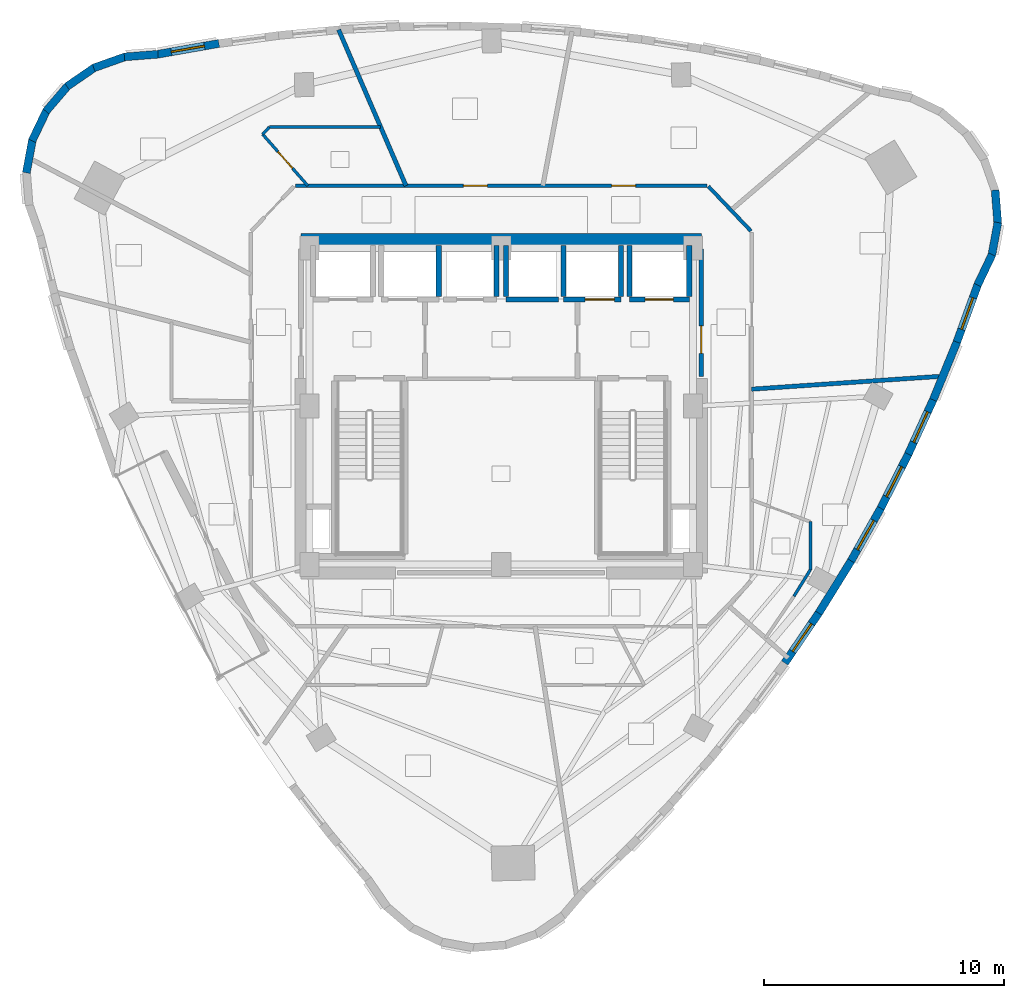
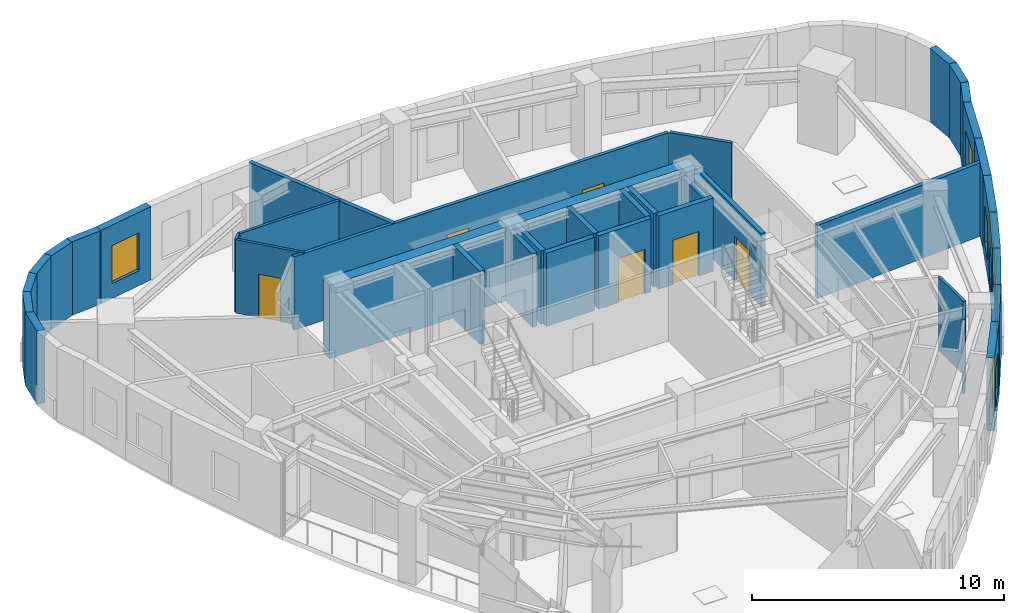
# One storey, part 8 of 12: 38 walls, 6 doors, 6 windows, 12 openings.
"""IFC4 building model written with IfcOpenShell, lengths in metres."""

from ifc_helpers import new_model, si_unit, direction, frame, frame_2d, origin, place, context, subcontext, project, spatial, rectangle, extrude, material, layer, layer_set, type_object, element, fill, save


model = new_model("IFC4")

# Units and contexts
model_context = context("Model", 3, precision=1e-05, world=origin(), true_north=direction((0.0, 1.0)))
body_context = subcontext(model_context, "Body", "Model", "MODEL_VIEW")
ifc_project = project(units=[si_unit("LENGTHUNIT", "METRE"), si_unit("AREAUNIT", "SQUARE_METRE"), si_unit("VOLUMEUNIT", "CUBIC_METRE"), si_unit("PLANEANGLEUNIT", "RADIAN"), si_unit("MASSUNIT", "GRAM", prefix="KILO")], contexts=[model_context])

# Site, building, storey
site_placement = place(None, origin())
site = spatial("IfcSite", under=ifc_project, at=site_placement, CompositionType="ELEMENT")
building_placement = place(site_placement, origin())
building = spatial("IfcBuilding", under=site, at=building_placement, Name="Ndelora Gate Hotel", CompositionType="ELEMENT")
storey_placement = place(building_placement, frame((0.0, 0.0, 194.14990234375)))
storey = spatial("IfcBuildingStorey", under=building, at=storey_placement, Name="L48", CompositionType="ELEMENT", Elevation=194.14990234375)

# Walls
ifc_material_1 = material(Name="Acoustic Double-Stud Gypsum Assembly", Category="gypsum")
ifc_layer_1 = layer(ifc_material_1, 0.179931640625)
ifc_layer_set_1 = layer_set([ifc_layer_1], Name="Acoustic Double-Stud Gypsum Assembly")
wall_type_1 = type_object("IfcWallType", Name="WL-ACOUST-180", PredefinedType="PARTITIONING", material=ifc_layer_set_1)
wall_1_placement = place(storey_placement, frame((10.449951171875, 0.7109375, 0.0), z_axis=(0.0, 0.0, 1.0), x_axis=(0.997694458534, 0.067865804428, 0.0)))
element("IfcWall", 1, at=wall_1_placement, inside=storey, type_object=wall_type_1, Name="L48 Interior Wall IW-3", PredefinedType="PARTITIONING", context=body_context, shape_type="SweptSolid", body=[
    extrude(rectangle(XDim=8.000732421875, YDim=0.179931640625, at=frame_2d((4.00048828125, 0.0))), origin(), (0.0, 0.0, 1.0), 3.550048828125),
])
wall_2_placement = place(storey_placement, frame((-3.971923828125, 9.199951171875, 0.0), z_axis=(0.0, 0.0, 1.0), x_axis=(-0.396382581843, 0.918085425661, 0.0)))
element("IfcWall", 2, at=wall_2_placement, inside=storey, type_object=wall_type_1, Name="L48 Interior Wall IW-3", PredefinedType="PARTITIONING", context=body_context, shape_type="SweptSolid", body=[
    extrude(rectangle(XDim=7.08935546875, YDim=0.179931640625, at=frame_2d((3.544677734375, 0.0))), origin(), (0.0, 0.0, 1.0), 3.550048828125),
])
ifc_material_2 = material(Name="Clay Brick Masonry", Category="masonry")
ifc_layer_2 = layer(ifc_material_2, 0.330078125)
ifc_layer_set_2 = layer_set([ifc_layer_2], Name="Clay Brick Masonry")
wall_type_2 = type_object("IfcWallType", Name="WL-BRICK-330", PredefinedType="SOLIDWALL", material=ifc_layer_set_2)
wall_3_placement = place(storey_placement, frame((-15.72265625, 14.576416015625, 0.0), z_axis=(0.0, 0.0, 1.0), x_axis=(0.996907811278, 0.07857999626, 0.0)))
element("IfcWall", 3, at=wall_3_placement, inside=storey, type_object=wall_type_2, Name="L48 Tower Brick Pier-and-Spandrel Wall TWR-1", PredefinedType="SOLIDWALL", context=body_context, shape_type="SweptSolid", body=[
    extrude(rectangle(XDim=1.407470703125, YDim=0.330078125, at=frame_2d((0.70361328125, 0.0))), origin(), (0.0, 0.0, 1.0), 3.550048828125),
])
wall_4_placement = place(storey_placement, frame((-17.0009765625, 14.1171875, 0.0), z_axis=(0.0, 0.0, 1.0), x_axis=(0.942676111555, 0.333709077945, 0.0)))
element("IfcWall", 4, at=wall_4_placement, inside=storey, type_object=wall_type_2, Name="L48 Tower Brick Pier-and-Spandrel Wall TWR-2", PredefinedType="SOLIDWALL", context=body_context, shape_type="SweptSolid", body=[
    extrude(rectangle(XDim=1.40771484375, YDim=0.330078125, at=frame_2d((0.703857421875, 0.0))), origin(), (0.0, 0.0, 1.0), 3.550048828125),
])
for number, where, z_axis, x_axis, name in (
    (5, (-18.11669921875, 13.34228515625, 0.0), (0.0, 0.0, 1.0), (0.824067227947, 0.566492015675, 0.0), "L48 Tower Brick Pier-and-Spandrel Wall TWR-3"),
    (6, (-18.993896484375, 12.30517578125, 0.0), (0.0, 0.0, 1.0), (0.64941898982, 0.760430782952, 0.0), "L48 Tower Brick Pier-and-Spandrel Wall TWR-4"),
    (7, (-19.572998046875, 11.076416015625, 0.0), (0.0, 0.0, 1.0), (0.430694266873, 0.902497893894, 0.0), "L48 Tower Brick Pier-and-Spandrel Wall TWR-5"),
    (8, (-19.814208984375, 9.73974609375, 0.0), (0.0, 0.0, 1.0), (0.182319094132, 0.983239415359, 0.0), "L48 Tower Brick Pier-and-Spandrel Wall TWR-6"),
):
    element("IfcWall", number, at=place(storey_placement, frame(where, z_axis=z_axis, x_axis=x_axis)), inside=storey, type_object=wall_type_2, Name=name, PredefinedType="SOLIDWALL", context=body_context, shape_type="SweptSolid", body=[
        extrude(rectangle(XDim=1.407470703125, YDim=0.330078125, at=frame_2d((0.70361328125, 0.0))), origin(), (0.0, 0.0, 1.0), 3.550048828125),
    ])

# Wall, opening, window
wall_5_placement = place(storey_placement, frame((13.277099609375, -8.59228515625, 0.0), z_axis=(0.0, 0.0, 1.0), x_axis=(-0.562164288669, -0.827025581554, 0.0)))
wall_5 = element("IfcWall", 9, at=wall_5_placement, inside=storey, type_object=wall_type_2, Name="L48 Tower Brick Pier-and-Spandrel Wall TWR-32", PredefinedType="SOLIDWALL", context=body_context, shape_type="SweptSolid", body=[
    extrude(rectangle(XDim=2.566162109375, YDim=0.330078125, at=frame_2d((1.283203125, 0.0))), origin(), (0.0, 0.0, 1.0), 3.550048828125),
])
opening_1_placement = place(wall_5_placement, frame((0.5830078125, 0.0, 0.719970703125)))
opening_1 = element("IfcOpeningElement", 10, at=opening_1_placement, cuts=wall_5, Name="Opening W02", PredefinedType="OPENING", context=body_context, shape_type="SweptSolid", body=[
    extrude(rectangle(XDim=1.39990234375, YDim=1.840087890625, at=frame_2d((0.699951171875, 0.919921875))), frame((0.0, 0.175048828125, 0.0), z_axis=(0.0, -1.0, 0.0), x_axis=(1.0, 0.0, 0.0)), (0.0, 0.0, 1.0), 0.35009765625),
])
ifc_material_3 = material(Name="Insulated Low-E Double Glazing in Bronze Aluminium Frame", Category="aluminium")
window_type = type_object("IfcWindowType", Name="WN-DEEP-1400", PartitioningType="SINGLE_PANEL", PredefinedType="WINDOW", material=ifc_material_3)
window_1_placement = place(opening_1_placement, origin())
window_1 = element("IfcWindow", 11, at=window_1_placement, inside=storey, type_object=window_type, Name="L48 Deep-Set Brick-Pier Window W02", OverallHeight=1.840087890625, OverallWidth=1.39990234375, PartitioningType="SINGLE_PANEL", PredefinedType="WINDOW", context=body_context, shape_type="SweptSolid", body=[
    extrude(rectangle(XDim=1.39990234375, YDim=1.840087890625, at=frame_2d((0.699951171875, 0.919921875))), frame((0.0, 0.030029296875, 0.0), z_axis=(0.0, -1.0, 0.0), x_axis=(1.0, 0.0, 0.0)), (0.0, 0.0, 1.0), 0.06005859375),
])
fill(opening_1, window_1)

# Wall
wall_6_placement = place(storey_placement, frame((14.601806640625, -6.453369140625, 0.0), z_axis=(0.0, 0.0, 1.0), x_axis=(-0.526908054593, -0.849922291745, 0.0)))
element("IfcWall", 12, at=wall_6_placement, inside=storey, type_object=wall_type_2, Name="L48 Tower Brick Pier-and-Spandrel Wall TWR-33", PredefinedType="SOLIDWALL", context=body_context, shape_type="SweptSolid", body=[
    extrude(rectangle(XDim=2.56591796875, YDim=0.330078125, at=frame_2d((1.282958984375, 0.0))), origin(), (0.0, 0.0, 1.0), 3.550048828125),
])

# Wall, opening, window
wall_7_placement = place(storey_placement, frame((15.838134765625, -4.2568359375, 0.0), z_axis=(0.0, 0.0, 1.0), x_axis=(-0.490851857412, -0.871243051091, 0.0)))
wall_7 = element("IfcWall", 13, at=wall_7_placement, inside=storey, type_object=wall_type_2, Name="L48 Tower Brick Pier-and-Spandrel Wall TWR-34", PredefinedType="SOLIDWALL", context=body_context, shape_type="SweptSolid", body=[
    extrude(rectangle(XDim=2.570556640625, YDim=0.330078125, at=frame_2d((1.28515625, 0.0))), origin(), (0.0, 0.0, 1.0), 3.550048828125),
])
opening_2_placement = place(wall_7_placement, frame((0.585205078125, 0.0, 0.719970703125)))
opening_2 = element("IfcOpeningElement", 14, at=opening_2_placement, cuts=wall_7, Name="Opening W02", PredefinedType="OPENING", context=body_context, shape_type="SweptSolid", body=[
    extrude(rectangle(XDim=1.39990234375, YDim=1.840087890625, at=frame_2d((0.699951171875, 0.919921875))), frame((0.0, 0.175048828125, 0.0), z_axis=(0.0, -1.0, 0.0), x_axis=(1.0, 0.0, 0.0)), (0.0, 0.0, 1.0), 0.35009765625),
])
window_2_placement = place(opening_2_placement, origin())
window_2 = element("IfcWindow", 15, at=window_2_placement, inside=storey, type_object=window_type, Name="L48 Deep-Set Brick-Pier Window W02", OverallHeight=1.840087890625, OverallWidth=1.39990234375, PartitioningType="SINGLE_PANEL", PredefinedType="WINDOW", context=body_context, shape_type="SweptSolid", body=[
    extrude(rectangle(XDim=1.39990234375, YDim=1.840087890625, at=frame_2d((0.699951171875, 0.919921875))), frame((0.0, 0.030029296875, 0.0), z_axis=(0.0, -1.0, 0.0), x_axis=(1.0, 0.0, 0.0)), (0.0, 0.0, 1.0), 0.06005859375),
])
fill(opening_2, window_2)

wall_8_placement = place(storey_placement, frame((16.986083984375, -2.002685546875, 0.0), z_axis=(0.0, 0.0, 1.0), x_axis=(-0.454203650024, -0.890897886576, 0.0)))
wall_8 = element("IfcWall", 16, at=wall_8_placement, inside=storey, type_object=wall_type_2, Name="L48 Tower Brick Pier-and-Spandrel Wall TWR-35", PredefinedType="SOLIDWALL", context=body_context, shape_type="SweptSolid", body=[
    extrude(rectangle(XDim=2.57958984375, YDim=0.330078125, at=frame_2d((1.289794921875, 0.0))), origin(), (0.0, 0.0, 1.0), 3.550048828125),
])
opening_3_placement = place(wall_8_placement, frame((0.589599609375, 0.0, 0.719970703125)))
opening_3 = element("IfcOpeningElement", 17, at=opening_3_placement, cuts=wall_8, Name="Opening W02", PredefinedType="OPENING", context=body_context, shape_type="SweptSolid", body=[
    extrude(rectangle(XDim=1.39990234375, YDim=1.840087890625, at=frame_2d((0.699951171875, 0.919921875))), frame((0.0, 0.175048828125, 0.0), z_axis=(0.0, -1.0, 0.0), x_axis=(1.0, 0.0, 0.0)), (0.0, 0.0, 1.0), 0.35009765625),
])
window_3_placement = place(opening_3_placement, origin())
window_3 = element("IfcWindow", 18, at=window_3_placement, inside=storey, type_object=window_type, Name="L48 Deep-Set Brick-Pier Window W02", OverallHeight=1.840087890625, OverallWidth=1.39990234375, PartitioningType="SINGLE_PANEL", PredefinedType="WINDOW", context=body_context, shape_type="SweptSolid", body=[
    extrude(rectangle(XDim=1.39990234375, YDim=1.840087890625, at=frame_2d((0.699951171875, 0.919921875))), frame((0.0, 0.030029296875, 0.0), z_axis=(0.0, -1.0, 0.0), x_axis=(1.0, 0.0, 0.0)), (0.0, 0.0, 1.0), 0.06005859375),
])
fill(opening_3, window_3)

wall_9_placement = place(storey_placement, frame((18.04541015625, 0.30859375, 0.0), z_axis=(0.0, 0.0, 1.0), x_axis=(-0.41697893771, -0.908916148776, 0.0)))
wall_9 = element("IfcWall", 19, at=wall_9_placement, inside=storey, type_object=wall_type_2, Name="L48 Tower Brick Pier-and-Spandrel Wall TWR-36", PredefinedType="SOLIDWALL", context=body_context, shape_type="SweptSolid", body=[
    extrude(rectangle(XDim=2.592529296875, YDim=0.330078125, at=frame_2d((1.29638671875, 0.0))), origin(), (0.0, 0.0, 1.0), 3.550048828125),
])
opening_4_placement = place(wall_9_placement, frame((0.59619140625, 0.0, 0.719970703125)))
opening_4 = element("IfcOpeningElement", 20, at=opening_4_placement, cuts=wall_9, Name="Opening W02", PredefinedType="OPENING", context=body_context, shape_type="SweptSolid", body=[
    extrude(rectangle(XDim=1.39990234375, YDim=1.840087890625, at=frame_2d((0.699951171875, 0.919921875))), frame((0.0, 0.175048828125, 0.0), z_axis=(0.0, -1.0, 0.0), x_axis=(1.0, 0.0, 0.0)), (0.0, 0.0, 1.0), 0.35009765625),
])
window_4_placement = place(opening_4_placement, origin())
window_4 = element("IfcWindow", 21, at=window_4_placement, inside=storey, type_object=window_type, Name="L48 Deep-Set Brick-Pier Window W02", OverallHeight=1.840087890625, OverallWidth=1.39990234375, PartitioningType="SINGLE_PANEL", PredefinedType="WINDOW", context=body_context, shape_type="SweptSolid", body=[
    extrude(rectangle(XDim=1.39990234375, YDim=1.840087890625, at=frame_2d((0.699951171875, 0.919921875))), frame((0.0, 0.030029296875, 0.0), z_axis=(0.0, -1.0, 0.0), x_axis=(1.0, 0.0, 0.0)), (0.0, 0.0, 1.0), 0.06005859375),
])
fill(opening_4, window_4)

# Wall
wall_10_placement = place(storey_placement, frame((19.01611328125, 2.67724609375, 0.0), z_axis=(0.0, 0.0, 1.0), x_axis=(-0.379601522234, -0.925150087455, 0.0)))
element("IfcWall", 22, at=wall_10_placement, inside=storey, type_object=wall_type_2, Name="L48 Tower Brick Pier-and-Spandrel Wall TWR-37", PredefinedType="SOLIDWALL", context=body_context, shape_type="SweptSolid", body=[
    extrude(rectangle(XDim=2.60986328125, YDim=0.330078125, at=frame_2d((1.304931640625, 0.0))), origin(), (0.0, 0.0, 1.0), 3.550048828125),
])

# Wall, opening, window
wall_11_placement = place(storey_placement, frame((19.8984375, 5.103759765625, 0.0), z_axis=(0.0, 0.0, 1.0), x_axis=(-0.342100538488, -0.939663355445, 0.0)))
wall_11 = element("IfcWall", 23, at=wall_11_placement, inside=storey, type_object=wall_type_2, Name="L48 Tower Brick Pier-and-Spandrel Wall TWR-38", PredefinedType="SOLIDWALL", context=body_context, shape_type="SweptSolid", body=[
    extrude(rectangle(XDim=2.6318359375, YDim=0.330078125, at=frame_2d((1.31591796875, 0.0))), origin(), (0.0, 0.0, 1.0), 3.550048828125),
])
opening_5_placement = place(wall_11_placement, frame((0.615966796875, 0.0, 0.719970703125)))
opening_5 = element("IfcOpeningElement", 24, at=opening_5_placement, cuts=wall_11, Name="Opening W02", PredefinedType="OPENING", context=body_context, shape_type="SweptSolid", body=[
    extrude(rectangle(XDim=1.39990234375, YDim=1.840087890625, at=frame_2d((0.699951171875, 0.919921875))), frame((0.0, 0.175048828125, 0.0), z_axis=(0.0, -1.0, 0.0), x_axis=(1.0, 0.0, 0.0)), (0.0, 0.0, 1.0), 0.35009765625),
])
window_5_placement = place(opening_5_placement, origin())
window_5 = element("IfcWindow", 25, at=window_5_placement, inside=storey, type_object=window_type, Name="L48 Deep-Set Brick-Pier Window W02", OverallHeight=1.840087890625, OverallWidth=1.39990234375, PartitioningType="SINGLE_PANEL", PredefinedType="WINDOW", context=body_context, shape_type="SweptSolid", body=[
    extrude(rectangle(XDim=1.39990234375, YDim=1.840087890625, at=frame_2d((0.699951171875, 0.919921875))), frame((0.0, 0.030029296875, 0.0), z_axis=(0.0, -1.0, 0.0), x_axis=(1.0, 0.0, 0.0)), (0.0, 0.0, 1.0), 0.06005859375),
])
fill(opening_5, window_5)

# Walls
wall_12_placement = place(storey_placement, frame((20.485107421875, 6.327880859375, 0.0), z_axis=(0.0, 0.0, 1.0), x_axis=(-0.430694266873, -0.902497893894, 0.0)))
element("IfcWall", 26, at=wall_12_placement, inside=storey, type_object=wall_type_2, Name="L48 Tower Brick Pier-and-Spandrel Wall TWR-39", PredefinedType="SOLIDWALL", context=body_context, shape_type="SweptSolid", body=[
    extrude(rectangle(XDim=1.407470703125, YDim=0.330078125, at=frame_2d((0.70361328125, 0.0))), origin(), (0.0, 0.0, 1.0), 3.550048828125),
])
wall_13_placement = place(storey_placement, frame((20.726318359375, 7.664794921875, 0.0), z_axis=(0.0, 0.0, 1.0), x_axis=(-0.182455673353, -0.983214080077, 0.0)))
element("IfcWall", 27, at=wall_13_placement, inside=storey, type_object=wall_type_2, Name="L48 Tower Brick Pier-and-Spandrel Wall TWR-40", PredefinedType="SOLIDWALL", context=body_context, shape_type="SweptSolid", body=[
    extrude(rectangle(XDim=1.40771484375, YDim=0.330078125, at=frame_2d((0.703857421875, 0.0))), origin(), (0.0, 0.0, 1.0), 3.550048828125),
])
wall_14_placement = place(storey_placement, frame((20.613037109375, 9.018310546875, 0.0), z_axis=(0.0, 0.0, 1.0), x_axis=(0.07857999626, -0.996907811278, 0.0)))
element("IfcWall", 28, at=wall_14_placement, inside=storey, type_object=wall_type_2, Name="L48 Tower Brick Pier-and-Spandrel Wall TWR-41", PredefinedType="SOLIDWALL", context=body_context, shape_type="SweptSolid", body=[
    extrude(rectangle(XDim=1.407470703125, YDim=0.330078125, at=frame_2d((0.70361328125, 0.0))), origin(), (0.0, 0.0, 1.0), 3.550048828125),
])

# Wall, opening, window
wall_15_placement = place(storey_placement, frame((-14.368896484375, 14.6806640625, 0.0), z_axis=(0.0, 0.0, 1.0), x_axis=(0.984819029835, 0.173584211476, 0.0)))
wall_15 = element("IfcWall", 29, at=wall_15_placement, inside=storey, type_object=wall_type_2, Name="L48 Tower Brick Pier-and-Spandrel Wall TWR-58", PredefinedType="SOLIDWALL", context=body_context, shape_type="SweptSolid", body=[
    extrude(rectangle(XDim=2.631591796875, YDim=0.330078125, at=frame_2d((1.31591796875, 0.0))), origin(), (0.0, 0.0, 1.0), 3.550048828125),
])
opening_6_placement = place(wall_15_placement, frame((0.61572265625, 0.0, 0.719970703125)))
opening_6 = element("IfcOpeningElement", 30, at=opening_6_placement, cuts=wall_15, Name="Opening W02", PredefinedType="OPENING", context=body_context, shape_type="SweptSolid", body=[
    extrude(rectangle(XDim=1.39990234375, YDim=1.840087890625, at=frame_2d((0.699951171875, 0.919921875))), frame((0.0, 0.175048828125, 0.0), z_axis=(0.0, -1.0, 0.0), x_axis=(1.0, 0.0, 0.0)), (0.0, 0.0, 1.0), 0.35009765625),
])
window_6_placement = place(opening_6_placement, origin())
window_6 = element("IfcWindow", 31, at=window_6_placement, inside=storey, type_object=window_type, Name="L48 Deep-Set Brick-Pier Window W02", OverallHeight=1.840087890625, OverallWidth=1.39990234375, PartitioningType="SINGLE_PANEL", PredefinedType="WINDOW", context=body_context, shape_type="SweptSolid", body=[
    extrude(rectangle(XDim=1.39990234375, YDim=1.840087890625, at=frame_2d((0.699951171875, 0.919921875))), frame((0.0, 0.030029296875, 0.0), z_axis=(0.0, -1.0, 0.0), x_axis=(1.0, 0.0, 0.0)), (0.0, 0.0, 1.0), 0.06005859375),
])
fill(opening_6, window_6)

# Wall
ifc_material_4 = material(Name="Concrete C50/60", Category="concrete")
ifc_layer_3 = layer(ifc_material_4, 0.5)
ifc_layer_set_3 = layer_set([ifc_layer_3], Name="Concrete C50/60")
wall_type_3 = type_object("IfcWallType", Name="WL-CORE-500", PredefinedType="SHEAR", material=ifc_layer_set_3)
wall_16_placement = place(storey_placement, frame((-8.35009765625, 6.949951171875, 0.0), z_axis=(0.0, 0.0, 1.0), x_axis=(1.0, 0.0, 0.0)))
element("IfcWall", 32, at=wall_16_placement, inside=storey, type_object=wall_type_3, Name="L48 Core Shear Wall N", PredefinedType="SHEAR", context=body_context, shape_type="SweptSolid", body=[
    extrude(rectangle(XDim=16.7001953125, YDim=0.5, at=frame_2d((8.35009765625, 0.0))), origin(), (0.0, 0.0, 1.0), 3.550048828125),
])

# Wall, opening, door
ifc_material_5 = material(Name="Concrete C40/50", Category="concrete")
ifc_layer_4 = layer(ifc_material_5, 0.199951171875)
ifc_layer_set_4 = layer_set([ifc_layer_4], Name="Concrete C40/50")
wall_type_4 = type_object("IfcWallType", Name="WL-FIRE-200", PredefinedType="PARTITIONING", material=ifc_layer_set_4)
wall_17_placement = place(storey_placement, frame((8.35009765625, 1.25, 0.0), z_axis=(0.0, 0.0, 1.0), x_axis=(0.0, 1.0, 0.0)))
wall_17 = element("IfcWall", 33, at=wall_17_placement, inside=storey, type_object=wall_type_4, Name="L48 Interior Wall IW-2", PredefinedType="PARTITIONING", context=body_context, shape_type="SweptSolid", body=[
    extrude(rectangle(XDim=5.300048828125, YDim=0.199951171875, at=frame_2d((2.64990234375, 0.0))), origin(), (0.0, 0.0, 1.0), 3.550048828125),
])
opening_7_placement = place(wall_17_placement, frame((0.949951171875, 0.0, 0.0)))
opening_7 = element("IfcOpeningElement", 34, at=opening_7_placement, cuts=wall_17, Name="Opening FD1", PredefinedType="OPENING", context=body_context, shape_type="SweptSolid", body=[
    extrude(rectangle(XDim=1.14990234375, YDim=2.14990234375, at=frame_2d((0.574951171875, 1.074951171875))), frame((0.0, 0.10986328125, 0.0), z_axis=(0.0, -1.0, 0.0), x_axis=(1.0, 0.0, 0.0)), (0.0, 0.0, 1.0), 0.219970703125),
])
ifc_material_6 = material(Name="Fire-Rated Timber-Veneer Steel Core", Category="steel")
door_type_1 = type_object("IfcDoorType", Name="DR-FD60", OperationType="SINGLE_SWING_LEFT", PredefinedType="DOOR", material=ifc_material_6)
door_1_placement = place(opening_7_placement, origin())
door_1 = element("IfcDoor", 35, at=door_1_placement, inside=storey, type_object=door_type_1, Name="L48 Firefighting Lobby East Corridor Door", OperationType="SINGLE_SWING_RIGHT", OverallHeight=2.14990234375, OverallWidth=1.14990234375, PredefinedType="DOOR", context=body_context, shape_type="SweptSolid", body=[
    extrude(rectangle(XDim=1.14990234375, YDim=2.14990234375, at=frame_2d((0.574951171875, 1.074951171875))), frame((0.0, 0.02490234375, 0.0), z_axis=(0.0, -1.0, 0.0), x_axis=(1.0, 0.0, 0.0)), (0.0, 0.0, 1.0), 0.050048828125),
])
fill(opening_7, door_1)

# Wall
ifc_material_7 = material(Name="Fire-Rated Gypsum Stud Partition", Category="gypsum")
ifc_layer_5 = layer(ifc_material_7, 0.14990234375)
ifc_layer_set_5 = layer_set([ifc_layer_5], Name="Fire-Rated Gypsum Stud Partition")
wall_type_5 = type_object("IfcWallType", Name="WL-PART-150", PredefinedType="PARTITIONING", material=ifc_layer_set_5)
wall_18_placement = place(storey_placement, frame((8.647705078125, 9.1708984375, 0.0), z_axis=(0.0, 0.0, 1.0), x_axis=(0.689960858356, -0.723846678473, 0.0)))
element("IfcWall", 36, at=wall_18_placement, inside=storey, type_object=wall_type_5, Name="L48 Interior Wall IW-5", PredefinedType="PARTITIONING", context=body_context, shape_type="SweptSolid", body=[
    extrude(rectangle(XDim=2.572021484375, YDim=0.14990234375, at=frame_2d((1.2861328125, 0.0))), origin(), (0.0, 0.0, 1.0), 3.550048828125),
])

# Wall, openings, doors
wall_19_placement = place(storey_placement, frame((-8.580078125, 9.199951171875, 0.0), z_axis=(0.0, 0.0, 1.0), x_axis=(1.0, 0.0, 0.0)))
wall_19 = element("IfcWall", 37, at=wall_19_placement, inside=storey, type_object=wall_type_5, Name="L48 Interior Wall IW-5", PredefinedType="PARTITIONING", context=body_context, shape_type="SweptSolid", body=[
    extrude(rectangle(XDim=17.16015625, YDim=0.14990234375, at=frame_2d((8.580078125, 0.0))), origin(), (0.0, 0.0, 1.0), 3.550048828125),
])
opening_8_placement = place(wall_19_placement, frame((7.0078125, 0.0, 0.0)))
opening_8 = element("IfcOpeningElement", 38, at=opening_8_placement, cuts=wall_19, Name="Opening D01", PredefinedType="OPENING", context=body_context, shape_type="SweptSolid", body=[
    extrude(rectangle(XDim=1.0, YDim=2.14990234375, at=frame_2d((0.5, 1.074951171875))), frame((0.0, 0.0849609375, 0.0), z_axis=(0.0, -1.0, 0.0), x_axis=(1.0, 0.0, 0.0)), (0.0, 0.0, 1.0), 0.169921875),
])
opening_9_placement = place(wall_19_placement, frame((13.189453125, 0.0, 0.0)))
opening_9 = element("IfcOpeningElement", 39, at=opening_9_placement, cuts=wall_19, Name="Opening D01", PredefinedType="OPENING", context=body_context, shape_type="SweptSolid", body=[
    extrude(rectangle(XDim=1.0, YDim=2.14990234375, at=frame_2d((0.5, 1.074951171875))), frame((0.0, 0.0849609375, 0.0), z_axis=(0.0, -1.0, 0.0), x_axis=(1.0, 0.0, 0.0)), (0.0, 0.0, 1.0), 0.169921875),
])
ifc_material_8 = material(Name="Acoustic Hardwood Guest Entrance Door", Category="wood")
door_type_2 = type_object("IfcDoorType", Name="DR-COR-1000", OperationType="SINGLE_SWING_LEFT", PredefinedType="DOOR", material=ifc_material_8)
door_2_placement = place(opening_8_placement, origin())
door_2 = element("IfcDoor", 40, at=door_2_placement, inside=storey, type_object=door_type_2, Name="L48 Private Tea Cocktail Bar Entrance Door", OperationType="SINGLE_SWING_LEFT", OverallHeight=2.14990234375, OverallWidth=1.0, PredefinedType="DOOR", context=body_context, shape_type="SweptSolid", body=[
    extrude(rectangle(XDim=1.0, YDim=2.14990234375, at=frame_2d((0.5, 1.074951171875))), frame((0.0, 0.02490234375, 0.0), z_axis=(0.0, -1.0, 0.0), x_axis=(1.0, 0.0, 0.0)), (0.0, 0.0, 1.0), 0.050048828125),
])
fill(opening_8, door_2)
door_3_placement = place(opening_9_placement, origin())
door_3 = element("IfcDoor", 41, at=door_3_placement, inside=storey, type_object=door_type_2, Name="L48 Diplomatic Briefing Office Entrance Door", OperationType="SINGLE_SWING_RIGHT", OverallHeight=2.14990234375, OverallWidth=1.0, PredefinedType="DOOR", context=body_context, shape_type="SweptSolid", body=[
    extrude(rectangle(XDim=1.0, YDim=2.14990234375, at=frame_2d((0.5, 1.074951171875))), frame((0.0, 0.02490234375, 0.0), z_axis=(0.0, -1.0, 0.0), x_axis=(1.0, 0.0, 0.0)), (0.0, 0.0, 1.0), 0.050048828125),
])
fill(opening_9, door_3)

# Wall, opening, door
ifc_layer_6 = layer(ifc_material_5, 0.219970703125)
ifc_layer_set_6 = layer_set([ifc_layer_6], Name="Concrete C40/50")
wall_type_6 = type_object("IfcWallType", Name="WL-SHAFT-220", PredefinedType="PARTITIONING", material=ifc_layer_set_6)
wall_20_placement = place(storey_placement, frame((5.35009765625, 4.449951171875, 0.0), z_axis=(0.0, 0.0, 1.0), x_axis=(1.0, 0.0, 0.0)))
wall_20 = element("IfcWall", 42, at=wall_20_placement, inside=storey, type_object=wall_type_6, Name="L48 Interior Wall IW-1", PredefinedType="PARTITIONING", context=body_context, shape_type="SweptSolid", body=[
    extrude(rectangle(XDim=2.5, YDim=0.219970703125, at=frame_2d((1.25, 0.0))), origin(), (0.0, 0.0, 1.0), 3.550048828125),
])
opening_10_placement = place(wall_20_placement, frame((0.659912109375, 0.0, 0.0)))
opening_10 = element("IfcOpeningElement", 43, at=opening_10_placement, cuts=wall_20, Name="Opening LD5", PredefinedType="OPENING", context=body_context, shape_type="SweptSolid", body=[
    extrude(rectangle(XDim=1.179931640625, YDim=2.14990234375, at=frame_2d((0.58984375, 1.074951171875))), frame((0.0, 0.1201171875, 0.0), z_axis=(0.0, -1.0, 0.0), x_axis=(1.0, 0.0, 0.0)), (0.0, 0.0, 1.0), 0.239990234375),
])
ifc_material_9 = material(Name="Firefighting Lift Stainless Sliding Landing Door", Category="metal")
door_type_3 = type_object("IfcDoorType", Name="DR-LD5", OperationType="DOUBLE_DOOR_SLIDING", PredefinedType="DOOR", material=ifc_material_9)
door_4_placement = place(opening_10_placement, origin())
door_4 = element("IfcDoor", 44, at=door_4_placement, inside=storey, type_object=door_type_3, Name="L48 Lift Landing Sliding Door FFL2", OperationType="DOUBLE_DOOR_SLIDING", OverallHeight=2.14990234375, OverallWidth=1.179931640625, PredefinedType="DOOR", context=body_context, shape_type="SweptSolid", body=[
    extrude(rectangle(XDim=1.179931640625, YDim=2.14990234375, at=frame_2d((0.58984375, 1.074951171875))), frame((0.0, 0.02490234375, 0.0), z_axis=(0.0, -1.0, 0.0), x_axis=(1.0, 0.0, 0.0)), (0.0, 0.0, 1.0), 0.050048828125),
])
fill(opening_10, door_4)

# Walls
wall_21_placement = place(storey_placement, frame((5.35009765625, 4.570068359375, 0.0), z_axis=(0.0, 0.0, 1.0), x_axis=(0.0, 1.0, 0.0)))
element("IfcWall", 45, at=wall_21_placement, inside=storey, type_object=wall_type_6, Name="L48 Interior Wall IW-1", PredefinedType="PARTITIONING", context=body_context, shape_type="SweptSolid", body=[
    extrude(rectangle(XDim=2.1298828125, YDim=0.219970703125, at=frame_2d((1.06494140625, 0.0))), origin(), (0.0, 0.0, 1.0), 3.550048828125),
])
wall_22_placement = place(storey_placement, frame((7.85009765625, 4.570068359375, 0.0), z_axis=(0.0, 0.0, 1.0), x_axis=(0.0, 1.0, 0.0)))
element("IfcWall", 46, at=wall_22_placement, inside=storey, type_object=wall_type_6, Name="L48 Interior Wall IW-1", PredefinedType="PARTITIONING", context=body_context, shape_type="SweptSolid", body=[
    extrude(rectangle(XDim=2.1298828125, YDim=0.219970703125, at=frame_2d((1.06494140625, 0.0))), origin(), (0.0, 0.0, 1.0), 3.18017578125),
])
wall_23_placement = place(storey_placement, frame((-2.60009765625, 4.570068359375, 0.0), z_axis=(0.0, 0.0, 1.0), x_axis=(0.0, 1.0, 0.0)))
element("IfcWall", 47, at=wall_23_placement, inside=storey, type_object=wall_type_6, Name="L48 Interior Wall IW-1", PredefinedType="PARTITIONING", context=body_context, shape_type="SweptSolid", body=[
    extrude(rectangle(XDim=2.1298828125, YDim=0.219970703125, at=frame_2d((1.06494140625, 0.0))), origin(), (0.0, 0.0, 1.0), 3.550048828125),
])

# Wall, opening, door
wall_24_placement = place(storey_placement, frame((2.60009765625, 4.449951171875, 0.0), z_axis=(0.0, 0.0, 1.0), x_axis=(1.0, 0.0, 0.0)))
wall_24 = element("IfcWall", 48, at=wall_24_placement, inside=storey, type_object=wall_type_6, Name="L48 Interior Wall IW-1", PredefinedType="PARTITIONING", context=body_context, shape_type="SweptSolid", body=[
    extrude(rectangle(XDim=2.39990234375, YDim=0.219970703125, at=frame_2d((1.199951171875, 0.0))), origin(), (0.0, 0.0, 1.0), 3.550048828125),
])
opening_11_placement = place(wall_24_placement, frame((0.89990234375, 0.0, 0.0)))
opening_11 = element("IfcOpeningElement", 49, at=opening_11_placement, cuts=wall_24, Name="Opening LD6", PredefinedType="OPENING", context=body_context, shape_type="SweptSolid", body=[
    extrude(rectangle(XDim=1.219970703125, YDim=2.14990234375, at=frame_2d((0.60986328125, 1.074951171875))), frame((0.0, 0.1201171875, 0.0), z_axis=(0.0, -1.0, 0.0), x_axis=(1.0, 0.0, 0.0)), (0.0, 0.0, 1.0), 0.239990234375),
])
ifc_material_10 = material(Name="Heavy-Duty Service Lift Sliding Landing Door", Category="wood")
door_type_4 = type_object("IfcDoorType", Name="DR-LD6", OperationType="DOUBLE_DOOR_SLIDING", PredefinedType="DOOR", material=ifc_material_10)
door_5_placement = place(opening_11_placement, origin())
door_5 = element("IfcDoor", 50, at=door_5_placement, inside=storey, type_object=door_type_4, Name="L48 Lift Landing Sliding Door SVL2", OperationType="DOUBLE_DOOR_SLIDING", OverallHeight=2.14990234375, OverallWidth=1.219970703125, PredefinedType="DOOR", context=body_context, shape_type="SweptSolid", body=[
    extrude(rectangle(XDim=1.219970703125, YDim=2.14990234375, at=frame_2d((0.60986328125, 1.074951171875))), frame((0.0, 0.02490234375, 0.0), z_axis=(0.0, -1.0, 0.0), x_axis=(1.0, 0.0, 0.0)), (0.0, 0.0, 1.0), 0.050048828125),
])
fill(opening_11, door_5)

# Walls
for number, where, z_axis, x_axis, name in (
    (51, (2.60009765625, 4.570068359375, 0.0), (0.0, 0.0, 1.0), (0.0, 1.0, 0.0), "L48 Interior Wall IW-1"),
    (52, (5.0, 4.570068359375, 0.0), (0.0, 0.0, 1.0), (0.0, 1.0, 0.0), "L48 Interior Wall IW-1"),
    (53, (-0.199951171875, 4.570068359375, 0.0), (0.0, 0.0, 1.0), (0.0, 1.0, 0.0), "L48 Interior Wall IW-1"),
):
    element("IfcWall", number, at=place(storey_placement, frame(where, z_axis=z_axis, x_axis=x_axis)), inside=storey, type_object=wall_type_6, Name=name, PredefinedType="PARTITIONING", context=body_context, shape_type="SweptSolid", body=[
        extrude(rectangle(XDim=2.1298828125, YDim=0.219970703125, at=frame_2d((1.06494140625, 0.0))), origin(), (0.0, 0.0, 1.0), 3.550048828125),
    ])
wall_25_placement = place(storey_placement, frame((0.199951171875, 4.449951171875, 0.0), z_axis=(0.0, 0.0, 1.0), x_axis=(1.0, 0.0, 0.0)))
element("IfcWall", 54, at=wall_25_placement, inside=storey, type_object=wall_type_6, Name="L48 Interior Wall IW-1", PredefinedType="PARTITIONING", context=body_context, shape_type="SweptSolid", body=[
    extrude(rectangle(XDim=2.199951171875, YDim=0.219970703125, at=frame_2d((1.10009765625, 0.0))), origin(), (0.0, 0.0, 1.0), 3.550048828125),
])
wall_26_placement = place(storey_placement, frame((0.199951171875, 4.570068359375, 0.0), z_axis=(0.0, 0.0, 1.0), x_axis=(0.0, 1.0, 0.0)))
element("IfcWall", 55, at=wall_26_placement, inside=storey, type_object=wall_type_6, Name="L48 Interior Wall IW-1", PredefinedType="PARTITIONING", context=body_context, shape_type="SweptSolid", body=[
    extrude(rectangle(XDim=2.1298828125, YDim=0.219970703125, at=frame_2d((1.06494140625, 0.0))), origin(), (0.0, 0.0, 1.0), 3.550048828125),
])
ifc_material_11 = material(Name="Moisture-Resistant Bathroom Tile Partition", Category="gypsum")
ifc_layer_7 = layer(ifc_material_11, 0.1201171875)
ifc_layer_set_7 = layer_set([ifc_layer_7], Name="Moisture-Resistant Bathroom Tile Partition")
wall_type_7 = type_object("IfcWallType", Name="WL-WET-120", PredefinedType="PARTITIONING", material=ifc_layer_set_7)
wall_27_placement = place(storey_placement, frame((12.89990234375, -4.821044921875, 0.0), z_axis=(0.0, 0.0, 1.0), x_axis=(0.0, -1.0, 0.0)))
element("IfcWall", 56, at=wall_27_placement, inside=storey, type_object=wall_type_7, Name="L48 Interior Wall IW-7", PredefinedType="PARTITIONING", context=body_context, shape_type="SweptSolid", body=[
    extrude(rectangle(XDim=2.005126953125, YDim=0.1201171875, at=frame_2d((1.00244140625, 0.0))), origin(), (0.0, 0.0, 1.0), 3.550048828125),
])
wall_28_placement = place(storey_placement, frame((12.21435546875, -7.931884765625, 0.0), z_axis=(0.0, 0.0, 1.0), x_axis=(0.52694237989, 0.849901010869, 0.0)))
element("IfcWall", 57, at=wall_28_placement, inside=storey, type_object=wall_type_7, Name="L48 Interior Wall IW-7", PredefinedType="PARTITIONING", context=body_context, shape_type="SweptSolid", body=[
    extrude(rectangle(XDim=1.301025390625, YDim=0.1201171875, at=frame_2d((0.650390625, 0.0))), origin(), (0.0, 0.0, 1.0), 3.550048828125),
])

# Wall, opening, door
wall_29_placement = place(storey_placement, frame((-8.0693359375, 9.199951171875, 0.0), z_axis=(0.0, 0.0, 1.0), x_axis=(-0.659368411854, 0.751819990057, 0.0)))
wall_29 = element("IfcWall", 58, at=wall_29_placement, inside=storey, type_object=wall_type_7, Name="L48 Interior Wall IW-7", PredefinedType="PARTITIONING", context=body_context, shape_type="SweptSolid", body=[
    extrude(rectangle(XDim=2.85986328125, YDim=0.1201171875, at=frame_2d((1.429931640625, 0.0))), origin(), (0.0, 0.0, 1.0), 3.550048828125),
])
opening_12_placement = place(wall_29_placement, frame((0.969970703125, 0.0, 0.0)))
opening_12 = element("IfcOpeningElement", 59, at=opening_12_placement, cuts=wall_29, Name="Opening D03", PredefinedType="OPENING", context=body_context, shape_type="SweptSolid", body=[
    extrude(rectangle(XDim=0.919921875, YDim=2.10009765625, at=frame_2d((0.4599609375, 1.050048828125))), frame((0.0, 0.070068359375, 0.0), z_axis=(0.0, -1.0, 0.0), x_axis=(1.0, 0.0, 0.0)), (0.0, 0.0, 1.0), 0.14013671875),
])
ifc_material_12 = material(Name="Moisture-Resistant Hardwood En-Suite Door", Category="wood")
door_type_5 = type_object("IfcDoorType", Name="DR-BATH-920", OperationType="SINGLE_SWING_LEFT", PredefinedType="DOOR", material=ifc_material_12)
door_6_placement = place(opening_12_placement, origin())
door_6 = element("IfcDoor", 60, at=door_6_placement, inside=storey, type_object=door_type_5, Name="L48 En-suite Bathroom 5104 Door", OperationType="SINGLE_SWING_LEFT", OverallHeight=2.10009765625, OverallWidth=0.919921875, PredefinedType="DOOR", context=body_context, shape_type="SweptSolid", body=[
    extrude(rectangle(XDim=0.919921875, YDim=2.10009765625, at=frame_2d((0.4599609375, 1.050048828125))), frame((0.0, 0.02490234375, 0.0), z_axis=(0.0, -1.0, 0.0), x_axis=(1.0, 0.0, 0.0)), (0.0, 0.0, 1.0), 0.050048828125),
])
fill(opening_12, door_6)

# Walls
wall_30_placement = place(storey_placement, frame((-9.955078125, 11.35009765625, 0.0), z_axis=(0.0, 0.0, 1.0), x_axis=(0.689802376572, 0.72399770806, 0.0)))
element("IfcWall", 61, at=wall_30_placement, inside=storey, type_object=wall_type_7, Name="L48 Interior Wall IW-7", PredefinedType="PARTITIONING", context=body_context, shape_type="SweptSolid", body=[
    extrude(rectangle(XDim=0.4140625, YDim=0.1201171875, at=frame_2d((0.20703125, 0.0))), origin(), (0.0, 0.0, 1.0), 3.550048828125),
])
wall_31_placement = place(storey_placement, frame((-5.02978515625, 11.64990234375, 0.0), z_axis=(0.0, 0.0, 1.0), x_axis=(-1.0, 0.0, 0.0)))
element("IfcWall", 62, at=wall_31_placement, inside=storey, type_object=wall_type_7, Name="L48 Interior Wall IW-7", PredefinedType="PARTITIONING", context=body_context, shape_type="SweptSolid", body=[
    extrude(rectangle(XDim=4.6396484375, YDim=0.1201171875, at=frame_2d((2.31982421875, 0.0))), origin(), (0.0, 0.0, 1.0), 3.550048828125),
])

save(model, "model.ifc")
